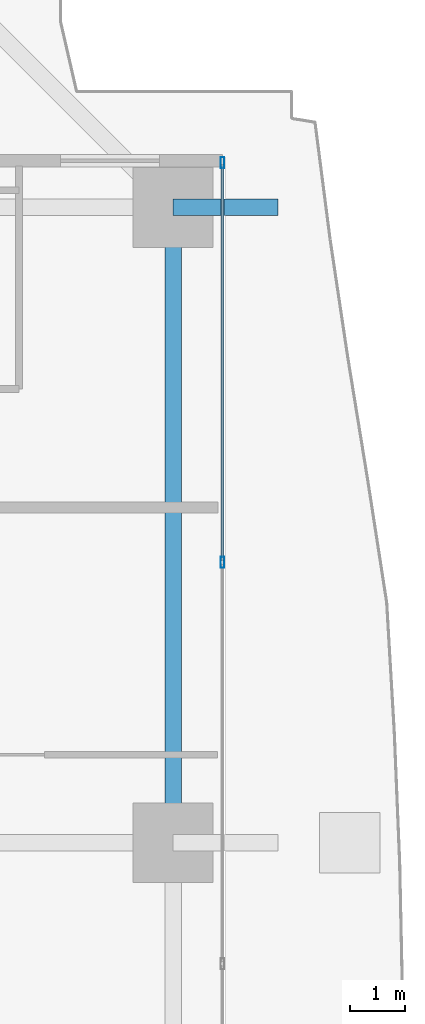
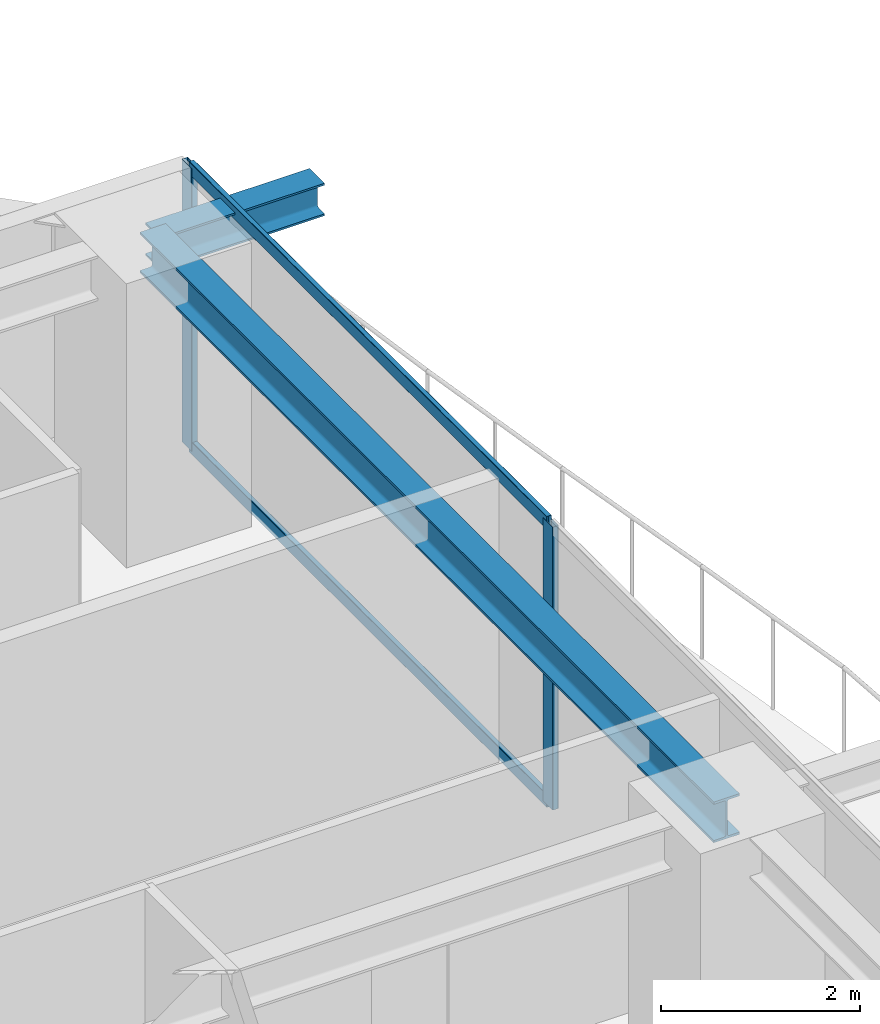
# One storey, part 23 of 38: 4 members, 2 beams, 1 element without a shape of its own.
"""IFC4 building model written with IfcOpenShell, lengths in metres."""

from ifc_helpers import new_model, si_unit, direction, frame, origin, origin_2d, place, context, subcontext, project, spatial, hollow_rectangle, i_section, extrude, source, transform, mapped, material, layer, layer_set, material_profile, profile_set, type_object, element, aggregate, save


model = new_model("IFC4")

# Units and contexts
model_context = context("Model", 3, precision=1e-05, world=origin(), true_north=direction((0.0, 1.0)))
body_context = subcontext(model_context, "Body", "Model", "MODEL_VIEW")
ifc_project = project(units=[si_unit("LENGTHUNIT", "METRE"), si_unit("AREAUNIT", "SQUARE_METRE"), si_unit("VOLUMEUNIT", "CUBIC_METRE"), si_unit("PLANEANGLEUNIT", "RADIAN"), si_unit("MASSUNIT", "GRAM", prefix="KILO")], contexts=[model_context])

# Site, building, storey
site_placement = place(None, origin())
site = spatial("IfcSite", under=ifc_project, at=site_placement, CompositionType="ELEMENT")
building_placement = place(site_placement, origin())
building = spatial("IfcBuilding", under=site, at=building_placement, Name="Serunith Strait Residences", CompositionType="ELEMENT")
storey_placement = place(building_placement, frame((0.0, 0.0, 37.949951171875)))
storey = spatial("IfcBuildingStorey", under=building, at=storey_placement, Name="L08", CompositionType="ELEMENT", Elevation=37.949951171875)

# Beams
ifc_material_1 = material(Name="Steel S355J2", Category="steel")
ifc_material_profile_1 = material_profile(ifc_material_1, i_section(OverallWidth=0.300048828125, OverallDepth=0.5, WebThickness=0.014404296875, FlangeThickness=0.028076171875, FilletRadius=0.027099609375, at=origin_2d()), Name="HEB 500")
ifc_profile_set_1 = profile_set([ifc_material_profile_1], Name="Steel S355J2")
beam_type_1 = type_object("IfcBeamType", Name="BM-HEB500", PredefinedType="BEAM", material=ifc_profile_set_1)
shared_shape_1 = source(origin(), body_context, "Body", "SweptSolid", [
    extrude(i_section(OverallWidth=0.300048828125, OverallDepth=0.5, WebThickness=0.014404296875, FlangeThickness=0.028076171875, FilletRadius=0.027099609375, at=origin_2d()), origin(), (0.0, 0.0, 1.0), 11.550048828125),
])
beam_1_placement = place(storey_placement, frame((57.89990234375, 29.39990234375, 3.237060546875), z_axis=(0.0, 1.0, 0.0), x_axis=(-1.0, 0.0, 0.0)))
element("IfcBeam", 1, at=beam_1_placement, inside=storey, type_object=beam_type_1, Name="L08 Perimeter Ring Beam 07", PredefinedType="BEAM", context=body_context, shape_type="MappedRepresentation", body=[
    mapped(shared_shape_1, transform((0.0, 0.0, 0.0), scale=1.0)),
])
ifc_material_profile_2 = material_profile(ifc_material_1, i_section(OverallWidth=0.300048828125, OverallDepth=0.39990234375, WebThickness=0.013427734375, FlangeThickness=0.02392578125, FilletRadius=0.027099609375, at=origin_2d()), Name="HEB 400")
ifc_profile_set_2 = profile_set([ifc_material_profile_2], Name="Steel S355J2")
beam_type_2 = type_object("IfcBeamType", Name="BM-HEB400", PredefinedType="BEAM", material=ifc_profile_set_2)
shared_shape_2 = source(origin(), body_context, "Body", "SweptSolid", [
    extrude(i_section(OverallWidth=0.300048828125, OverallDepth=0.39990234375, WebThickness=0.013427734375, FlangeThickness=0.02392578125, FilletRadius=0.027099609375, at=origin_2d()), origin(), (0.0, 0.0, 1.0), 1.91015625),
])
beam_2_placement = place(storey_placement, frame((57.89990234375, 40.949951171875, 3.257080078125), z_axis=(1.0, 0.0, 0.0), x_axis=(0.0, 1.0, 0.0)))
element("IfcBeam", 2, at=beam_2_placement, inside=storey, type_object=beam_type_2, Name="L09 Cantilevered Balcony Rib TC-E4", PredefinedType="BEAM", context=body_context, shape_type="MappedRepresentation", body=[
    mapped(shared_shape_2, transform((0.0, 0.0, 0.0), scale=1.0)),
])

# Curtain wall, members
ifc_material_2 = material(Name="Pale-Champagne Anodised Aluminium", Category="aluminium")
ifc_layer = layer(ifc_material_2, 0.199951171875, Name="Pale-Champagne Anodised Aluminium")
ifc_layer_set = layer_set([ifc_layer], Name="Pale-Champagne Anodised Aluminium")
curtain_wall_type = type_object("IfcCurtainWallType", Name="CW-SYS1", PredefinedType="NOTDEFINED", material=ifc_layer_set)
curtain_wall_placement = place(storey_placement, origin())
curtain_wall = element("IfcCurtainWall", 3, at=curtain_wall_placement, inside=storey, type_object=curtain_wall_type, Name="L08 E Unitised Fritted Curtain Wall", PredefinedType="NOTDEFINED")
ifc_material_profile_3 = material_profile(ifc_material_2, hollow_rectangle(XDim=0.070068359375, YDim=0.199951171875, WallThickness=0.00390625, InnerFilletRadius=0.006103515625, OuterFilletRadius=0.010009765625, at=origin_2d()), Name="ALU 200x70x4")
ifc_profile_set_3 = profile_set([ifc_material_profile_3], Name="Pale-Champagne Anodised Aluminium")
member_type_1 = type_object("IfcMemberType", Name="CW-SYS1-MULL", PredefinedType="MULLION", material=ifc_profile_set_3)
shared_shape_3 = source(origin(), body_context, "Body", "SweptSolid", [
    extrude(hollow_rectangle(XDim=0.070068359375, YDim=0.199951171875, WallThickness=0.00390625, InnerFilletRadius=0.006103515625, OuterFilletRadius=0.010009765625, at=origin_2d()), origin(), (0.0, 0.0, 1.0), 3.47509765625),
])
member_1_placement = place(storey_placement, frame((58.800048828125, 34.5, 0.0), z_axis=(0.0, 0.0, 1.0), x_axis=(-1.0, 0.0, 0.0)))
member_1 = element("IfcMember", 4, at=member_1_placement, type_object=member_type_1, Name="CW-1 mullion 3", PredefinedType="MULLION", context=body_context, shape_type="MappedRepresentation", body=[
    mapped(shared_shape_3, transform((0.0, 0.0, 0.0), scale=1.0)),
])
member_2_placement = place(storey_placement, frame((58.800048828125, 41.764892578125, 0.0), z_axis=(0.0, 0.0, 1.0), x_axis=(-1.0, 0.0, 0.0)))
member_2 = element("IfcMember", 5, at=member_2_placement, type_object=member_type_1, Name="CW-1 mullion 4", PredefinedType="MULLION", context=body_context, shape_type="MappedRepresentation", body=[
    mapped(shared_shape_3, transform((0.0, 0.0, 0.0), scale=1.0)),
])
ifc_material_profile_4 = material_profile(ifc_material_2, hollow_rectangle(XDim=0.06005859375, YDim=0.159912109375, WallThickness=0.00341796875, InnerFilletRadius=0.00537109375, OuterFilletRadius=0.0087890625, at=origin_2d()), Name="ALU 160x60x3.5")
ifc_profile_set_4 = profile_set([ifc_material_profile_4], Name="Pale-Champagne Anodised Aluminium")
member_type_2 = type_object("IfcMemberType", Name="CW-SYS1-TRAN", PredefinedType="USERDEFINED", material=ifc_profile_set_4)
shared_shape_4 = source(origin(), body_context, "Body", "SweptSolid", [
    extrude(hollow_rectangle(XDim=0.06005859375, YDim=0.159912109375, WallThickness=0.00341796875, InnerFilletRadius=0.00537109375, OuterFilletRadius=0.0087890625, at=origin_2d()), origin(), (0.0, 0.0, 1.0), 7.195068359375),
])
member_3_placement = place(storey_placement, frame((58.800048828125, 34.534912109375, 0.030029296875), z_axis=(0.0, 1.0, 0.0), x_axis=(-1.0, 0.0, 0.0)))
member_3 = element("IfcMember", 6, at=member_3_placement, type_object=member_type_2, Name="CW-1 transom 3.1", ObjectType="TRANSOM", PredefinedType="USERDEFINED", context=body_context, shape_type="MappedRepresentation", body=[
    mapped(shared_shape_4, transform((0.0, 0.0, 0.0), scale=1.0)),
])
member_4_placement = place(storey_placement, frame((58.800048828125, 34.534912109375, 3.445068359375), z_axis=(0.0, 1.0, 0.0), x_axis=(-1.0, 0.0, 0.0)))
member_4 = element("IfcMember", 7, at=member_4_placement, type_object=member_type_2, Name="CW-1 transom 3.2", ObjectType="TRANSOM", PredefinedType="USERDEFINED", context=body_context, shape_type="MappedRepresentation", body=[
    mapped(shared_shape_4, transform((0.0, 0.0, 0.0), scale=1.0)),
])
aggregate(curtain_wall, [member_1, member_2, member_3, member_4])

save(model, "model.ifc")
